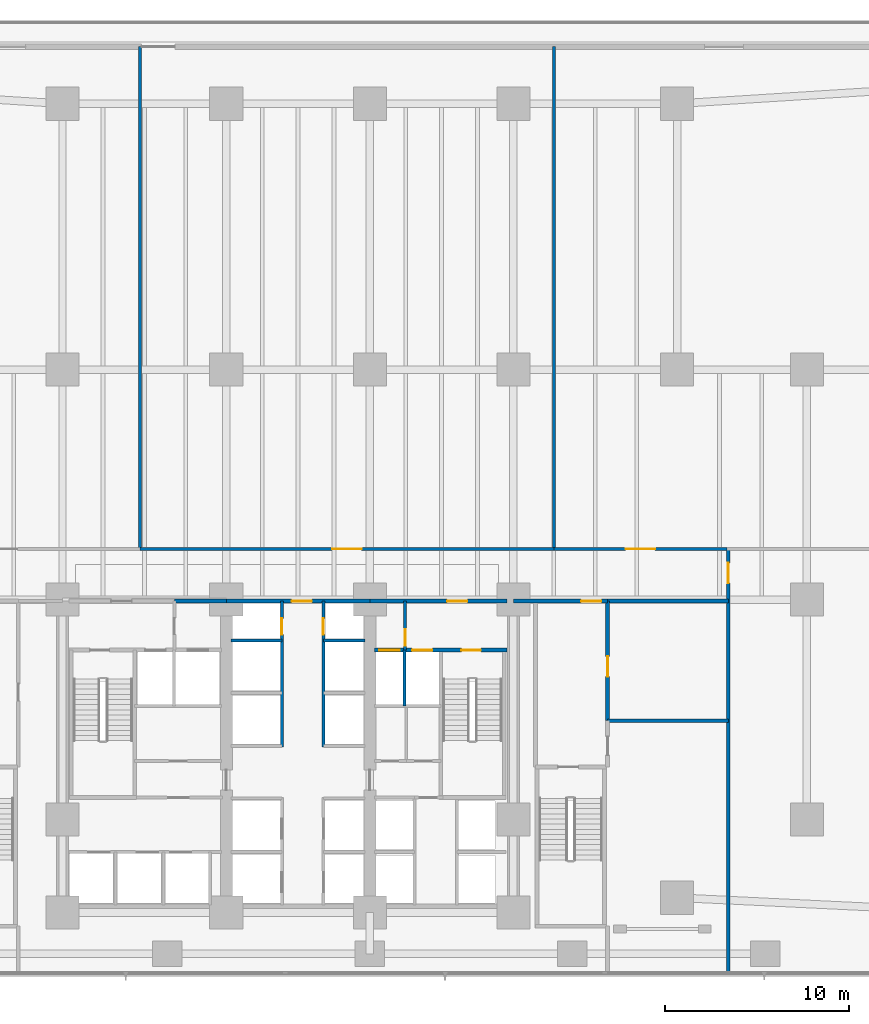
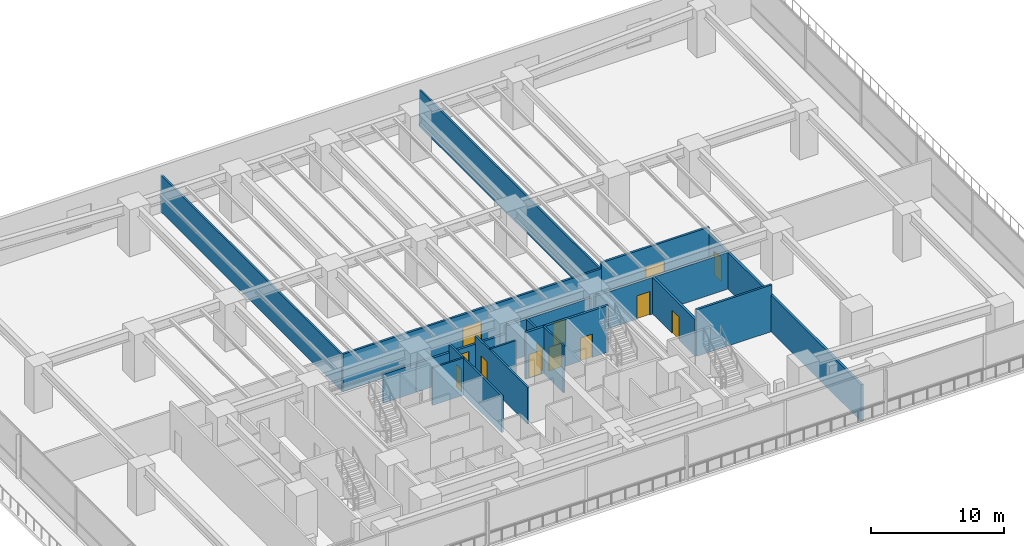
# One storey, part 12 of 27: 19 walls, 13 doors, 13 openings.
"""IFC4 building model written with IfcOpenShell, lengths in metres."""

from ifc_helpers import new_model, si_unit, direction, frame, frame_2d, origin, place, context, subcontext, project, spatial, rectangle, extrude, material, layer, layer_set, type_object, element, fill, save


model = new_model("IFC4")

# Units and contexts
model_context = context("Model", 3, precision=1e-05, world=origin(), true_north=direction((0.0, 1.0)))
body_context = subcontext(model_context, "Body", "Model", "MODEL_VIEW")
ifc_project = project(units=[si_unit("LENGTHUNIT", "METRE"), si_unit("AREAUNIT", "SQUARE_METRE"), si_unit("VOLUMEUNIT", "CUBIC_METRE"), si_unit("PLANEANGLEUNIT", "RADIAN"), si_unit("MASSUNIT", "GRAM", prefix="KILO")], contexts=[model_context])

# Site, building, storey
site_placement = place(None, origin())
site = spatial("IfcSite", under=ifc_project, at=site_placement, CompositionType="ELEMENT")
building_placement = place(site_placement, origin())
building = spatial("IfcBuilding", under=site, at=building_placement, Name="Qalmaran Belvedere Hotel", CompositionType="ELEMENT")
storey_placement = place(building_placement, frame((0.0, 0.0, 5.39990234375)))
storey = spatial("IfcBuildingStorey", under=building, at=storey_placement, Name="L01", CompositionType="ELEMENT", Elevation=5.39990234375)

# Walls
ifc_material_1 = material(Name="Gypsum Stud Partition")
ifc_layer_1 = layer(ifc_material_1, 0.14990234375, Name="Gypsum Stud Partition")
ifc_layer_set_1 = layer_set([ifc_layer_1], Name="Gypsum Stud Partition")
wall_type_1 = type_object("IfcWallType", Name="WL-INT-150-EI120", PredefinedType="PARTITIONING", material=ifc_layer_set_1)
wall_1_placement = place(storey_placement, frame((38.8798828125, 14.719970703125, 0.0), z_axis=(0.0, 0.0, 1.0), x_axis=(0.0, 1.0, 0.0)))
element("IfcWall", 1, at=wall_1_placement, inside=storey, type_object=wall_type_1, Name="L01 Partition WL-FF2M-L01", PredefinedType="PARTITIONING", context=body_context, shape_type="SweptSolid", body=[
    extrude(rectangle(XDim=3.0400390625, YDim=0.14990234375, at=frame_2d((1.52001953125, 0.0))), origin(), (0.0, 0.0, 1.0), 4.300048828125),
])
wall_2_placement = place(storey_placement, frame((29.449951171875, 18.280029296875, 0.0), z_axis=(0.0, 0.0, 1.0), x_axis=(1.0, 0.0, 0.0)))
element("IfcWall", 2, at=wall_2_placement, inside=storey, type_object=wall_type_1, Name="L01 Partition WL-PMW-L01-182", PredefinedType="PARTITIONING", context=body_context, shape_type="SweptSolid", body=[
    extrude(rectangle(XDim=2.77001953125, YDim=0.14990234375, at=frame_2d((1.385009765625, 0.0))), origin(), (0.0, 0.0, 1.0), 3.43017578125),
])
wall_3_placement = place(storey_placement, frame((34.47998046875, 18.280029296875, 0.0), z_axis=(0.0, 0.0, 1.0), x_axis=(1.0, 0.0, 0.0)))
element("IfcWall", 3, at=wall_3_placement, inside=storey, type_object=wall_type_1, Name="L01 Partition WL-PME-L01-182", PredefinedType="PARTITIONING", context=body_context, shape_type="SweptSolid", body=[
    extrude(rectangle(XDim=2.27001953125, YDim=0.14990234375, at=frame_2d((1.135009765625, 0.0))), origin(), (0.0, 0.0, 1.0), 3.43017578125),
])

# Wall, opening, door
ifc_layer_2 = layer(ifc_material_1, 0.159912109375, Name="Gypsum Stud Partition")
ifc_layer_set_2 = layer_set([ifc_layer_2], Name="Gypsum Stud Partition")
wall_type_2 = type_object("IfcWallType", Name="WL-INT-160-EI120", PredefinedType="PARTITIONING", material=ifc_layer_set_2)
wall_4_placement = place(storey_placement, frame((38.919921875, 17.760009765625, 0.0), z_axis=(0.0, 0.0, 1.0), x_axis=(0.0, 1.0, 0.0)))
wall_4 = element("IfcWall", 4, at=wall_4_placement, inside=storey, type_object=wall_type_2, Name="L01 Partition WL-FFSV2-L01", PredefinedType="PARTITIONING", context=body_context, shape_type="SweptSolid", body=[
    extrude(rectangle(XDim=2.659912109375, YDim=0.159912109375, at=frame_2d((1.330078125, 0.0))), origin(), (0.0, 0.0, 1.0), 3.373046875),
])
opening_1_placement = place(wall_4_placement, frame((1.139892578125, 0.0, 0.0), z_axis=(0.0, 0.0, 1.0), x_axis=(-1.0, 0.0, 0.0)))
opening_1 = element("IfcOpeningElement", 5, at=opening_1_placement, cuts=wall_4, Name="Opening FD60S1", PredefinedType="OPENING", context=body_context, shape_type="SweptSolid", body=[
    extrude(rectangle(XDim=0.919921875, YDim=2.080078125, at=frame_2d((0.4599609375, 1.0400390625))), frame((0.0, 0.08984375, 0.0), z_axis=(0.0, -1.0, 0.0), x_axis=(1.0, 0.0, 0.0)), (0.0, 0.0, 1.0), 0.179931640625),
])
ifc_material_2 = material(Name="Engineered Oak Veneer")
door_type_1 = type_object("IfcDoorType", Name="DR-FD60S-920X2080", OperationType="NOTDEFINED", PredefinedType="DOOR", material=ifc_material_2)
door_1_placement = place(opening_1_placement, origin())
door_1 = element("IfcDoor", 6, at=door_1_placement, inside=storey, type_object=door_type_1, Name="L01 Service Lobby East Door", OperationType="SINGLE_SWING_LEFT", OverallHeight=2.080078125, OverallWidth=0.919921875, PredefinedType="DOOR", context=body_context, shape_type="SweptSolid", body=[
    extrude(rectangle(XDim=0.919921875, YDim=2.080078125, at=frame_2d((0.4599609375, 1.0400390625))), frame((0.0, 0.02490234375, 0.0), z_axis=(0.0, -1.0, 0.0), x_axis=(1.0, 0.0, 0.0)), (0.0, 0.0, 1.0), 0.050048828125),
])
fill(opening_1, door_1)

wall_5_placement = place(storey_placement, frame((32.219970703125, 12.5, 0.0), z_axis=(0.0, 0.0, 1.0), x_axis=(0.0, 1.0, 0.0)))
wall_5 = element("IfcWall", 7, at=wall_5_placement, inside=storey, type_object=wall_type_2, Name="L01 Partition WL-CLBWN-L01", PredefinedType="PARTITIONING", context=body_context, shape_type="SweptSolid", body=[
    extrude(rectangle(XDim=7.919921875, YDim=0.159912109375, at=frame_2d((3.9599609375, 0.0))), origin(), (0.0, 0.0, 1.0), 3.373046875),
])
opening_2_placement = place(wall_5_placement, frame((6.10009765625, 0.0, 0.0)))
opening_2 = element("IfcOpeningElement", 8, at=opening_2_placement, cuts=wall_5, Name="Opening FD60B", PredefinedType="OPENING", context=body_context, shape_type="SweptSolid", body=[
    extrude(rectangle(XDim=0.8798828125, YDim=2.080078125, at=frame_2d((0.43994140625, 1.0400390625))), frame((0.0, 0.08984375, 0.0), z_axis=(0.0, -1.0, 0.0), x_axis=(1.0, 0.0, 0.0)), (0.0, 0.0, 1.0), 0.179931640625),
])
ifc_material_3 = material(Name="Steel S355JR", Category="steel")
door_type_2 = type_object("IfcDoorType", Name="DR-FD60B-880X2080", OperationType="NOTDEFINED", PredefinedType="DOOR", material=ifc_material_3)
door_2_placement = place(opening_2_placement, origin())
door_2 = element("IfcDoor", 9, at=door_2_placement, inside=storey, type_object=door_type_2, Name="L01 West Riser Access Door", OperationType="SINGLE_SWING_RIGHT", OverallHeight=2.080078125, OverallWidth=0.8798828125, PredefinedType="DOOR", context=body_context, shape_type="SweptSolid", body=[
    extrude(rectangle(XDim=0.8798828125, YDim=2.080078125, at=frame_2d((0.43994140625, 1.0400390625))), frame((0.0, 0.02490234375, 0.0), z_axis=(0.0, -1.0, 0.0), x_axis=(1.0, 0.0, 0.0)), (0.0, 0.0, 1.0), 0.050048828125),
])
fill(opening_2, door_2)

wall_6_placement = place(storey_placement, frame((34.47998046875, 12.5, 0.0), z_axis=(0.0, 0.0, 1.0), x_axis=(0.0, 1.0, 0.0)))
wall_6 = element("IfcWall", 10, at=wall_6_placement, inside=storey, type_object=wall_type_2, Name="L01 Partition WL-CLBEN-L01", PredefinedType="PARTITIONING", context=body_context, shape_type="SweptSolid", body=[
    extrude(rectangle(XDim=7.919921875, YDim=0.159912109375, at=frame_2d((3.9599609375, 0.0))), origin(), (0.0, 0.0, 1.0), 3.373046875),
])
opening_3_placement = place(wall_6_placement, frame((6.97998046875, 0.0, 0.0), z_axis=(0.0, 0.0, 1.0), x_axis=(-1.0, 0.0, 0.0)))
opening_3 = element("IfcOpeningElement", 11, at=opening_3_placement, cuts=wall_6, Name="Opening FD60B", PredefinedType="OPENING", context=body_context, shape_type="SweptSolid", body=[
    extrude(rectangle(XDim=0.8798828125, YDim=2.080078125, at=frame_2d((0.43994140625, 1.0400390625))), frame((0.0, 0.08984375, 0.0), z_axis=(0.0, -1.0, 0.0), x_axis=(1.0, 0.0, 0.0)), (0.0, 0.0, 1.0), 0.179931640625),
])
door_3_placement = place(opening_3_placement, origin())
door_3 = element("IfcDoor", 12, at=door_3_placement, inside=storey, type_object=door_type_2, Name="L01 East Riser Access Door", OperationType="SINGLE_SWING_LEFT", OverallHeight=2.080078125, OverallWidth=0.8798828125, PredefinedType="DOOR", context=body_context, shape_type="SweptSolid", body=[
    extrude(rectangle(XDim=0.8798828125, YDim=2.080078125, at=frame_2d((0.43994140625, 1.0400390625))), frame((0.0, 0.02490234375, 0.0), z_axis=(0.0, -1.0, 0.0), x_axis=(1.0, 0.0, 0.0)), (0.0, 0.0, 1.0), 0.050048828125),
])
fill(opening_3, door_3)

# Walls
ifc_layer_3 = layer(ifc_material_1, 0.159912109375, Name="Gypsum Stud Partition")
ifc_layer_set_3 = layer_set([ifc_layer_3], Name="Gypsum Stud Partition")
wall_type_3 = type_object("IfcWallType", Name="WL-INT-160-EI60", PredefinedType="PARTITIONING", material=ifc_layer_set_3)
for number, where, z_axis, x_axis, name in (
    (13, (24.5, 23.25, 0.0), (0.0, 0.0, 1.0), (0.0, 1.0, 0.0), "L01 Partition WL-L01-GV1"),
    (14, (47.0, 23.25, 0.0), (0.0, 0.0, 1.0), (0.0, 1.0, 0.0), "L01 Partition WL-L01-GV2"),
):
    element("IfcWall", number, at=place(storey_placement, frame(where, z_axis=z_axis, x_axis=x_axis)), inside=storey, type_object=wall_type_3, Name=name, PredefinedType="PARTITIONING", context=body_context, shape_type="SweptSolid", body=[
        extrude(rectangle(XDim=27.300048828125, YDim=0.159912109375, at=frame_2d((13.64990234375, 0.0))), origin(), (0.0, 0.0, 1.0), 3.373046875),
    ])
ifc_layer_4 = layer(ifc_material_1, 0.179931640625, Name="Gypsum Stud Partition")
ifc_layer_set_4 = layer_set([ifc_layer_4], Name="Gypsum Stud Partition")
wall_type_4 = type_object("IfcWallType", Name="WL-INT-180-EI120", PredefinedType="PARTITIONING", material=ifc_layer_set_4)
wall_7_placement = place(storey_placement, frame((49.919921875, 13.919921875, 0.0), z_axis=(0.0, 0.0, 1.0), x_axis=(1.0, 0.0, 0.0)))
element("IfcWall", 15, at=wall_7_placement, inside=storey, type_object=wall_type_4, Name="L01 Partition WL-L01-FCCH", PredefinedType="PARTITIONING", context=body_context, shape_type="SweptSolid", body=[
    extrude(rectangle(XDim=6.56005859375, YDim=0.179931640625, at=frame_2d((3.280029296875, 0.0))), origin(), (0.0, 0.0, 1.0), 4.300048828125),
])

# Wall, opening, door
ifc_layer_5 = layer(ifc_material_1, 0.179931640625, Name="Gypsum Stud Partition")
ifc_layer_set_5 = layer_set([ifc_layer_5], Name="Gypsum Stud Partition")
wall_type_5 = type_object("IfcWallType", Name="WL-INT-180-EI60", PredefinedType="PARTITIONING", material=ifc_layer_set_5)
wall_8_placement = place(storey_placement, frame((24.5, 23.25, 0.0), z_axis=(0.0, 0.0, 1.0), x_axis=(1.0, 0.0, 0.0)))
wall_8 = element("IfcWall", 16, at=wall_8_placement, inside=storey, type_object=wall_type_5, Name="L01 Partition WL-L01-GND2", PredefinedType="PARTITIONING", context=body_context, shape_type="SweptSolid", body=[
    extrude(rectangle(XDim=22.5, YDim=0.179931640625, at=frame_2d((11.25, 0.0))), origin(), (0.0, 0.0, 1.0), 3.43017578125),
])
opening_4_placement = place(wall_8_placement, frame((10.449951171875, 0.0, 0.0)))
opening_4 = element("IfcOpeningElement", 17, at=opening_4_placement, cuts=wall_8, Name="Opening FD60D", PredefinedType="OPENING", context=body_context, shape_type="SweptSolid", body=[
    extrude(rectangle(XDim=1.60009765625, YDim=2.219970703125, at=frame_2d((0.800048828125, 1.10986328125))), frame((0.0, 0.10009765625, 0.0), z_axis=(0.0, -1.0, 0.0), x_axis=(1.0, 0.0, 0.0)), (0.0, 0.0, 1.0), 0.199951171875),
])
door_type_3 = type_object("IfcDoorType", Name="DR-FD60D-1600X2220", OperationType="NOTDEFINED", PredefinedType="DOOR", material=ifc_material_2)
door_4_placement = place(opening_4_placement, origin())
door_4 = element("IfcDoor", 18, at=door_4_placement, inside=storey, type_object=door_type_3, Name="L01 Congress Pre-Function Foyer Door", OperationType="DOUBLE_DOOR_SINGLE_SWING", OverallHeight=2.219970703125, OverallWidth=1.60009765625, PredefinedType="DOOR", context=body_context, shape_type="SweptSolid", body=[
    extrude(rectangle(XDim=1.60009765625, YDim=2.219970703125, at=frame_2d((0.800048828125, 1.10986328125))), frame((0.0, 0.02490234375, 0.0), z_axis=(0.0, -1.0, 0.0), x_axis=(1.0, 0.0, 0.0)), (0.0, 0.0, 1.0), 0.050048828125),
])
fill(opening_4, door_4)

wall_9_placement = place(storey_placement, frame((47.0, 23.25, 0.0), z_axis=(0.0, 0.0, 1.0), x_axis=(1.0, 0.0, 0.0)))
wall_9 = element("IfcWall", 19, at=wall_9_placement, inside=storey, type_object=wall_type_5, Name="L01 Partition WL-L01-GND3", PredefinedType="PARTITIONING", context=body_context, shape_type="SweptSolid", body=[
    extrude(rectangle(XDim=9.39990234375, YDim=0.179931640625, at=frame_2d((4.699951171875, 0.0))), origin(), (0.0, 0.0, 1.0), 3.982177734375),
])
opening_5_placement = place(wall_9_placement, frame((3.89990234375, 0.0, 0.0)))
opening_5 = element("IfcOpeningElement", 20, at=opening_5_placement, cuts=wall_9, Name="Opening FD60D", PredefinedType="OPENING", context=body_context, shape_type="SweptSolid", body=[
    extrude(rectangle(XDim=1.60009765625, YDim=2.219970703125, at=frame_2d((0.800048828125, 1.10986328125))), frame((0.0, 0.10009765625, 0.0), z_axis=(0.0, -1.0, 0.0), x_axis=(1.0, 0.0, 0.0)), (0.0, 0.0, 1.0), 0.199951171875),
])
door_5_placement = place(opening_5_placement, origin())
door_5 = element("IfcDoor", 21, at=door_5_placement, inside=storey, type_object=door_type_3, Name="L01 Conference Hall Diriyah Door", OperationType="DOUBLE_DOOR_SINGLE_SWING", OverallHeight=2.219970703125, OverallWidth=1.60009765625, PredefinedType="DOOR", context=body_context, shape_type="SweptSolid", body=[
    extrude(rectangle(XDim=1.60009765625, YDim=2.219970703125, at=frame_2d((0.800048828125, 1.10986328125))), frame((0.0, 0.02490234375, 0.0), z_axis=(0.0, -1.0, 0.0), x_axis=(1.0, 0.0, 0.0)), (0.0, 0.0, 1.0), 0.050048828125),
])
fill(opening_5, door_5)

# Wall
ifc_material_4 = material(Name="Concrete C30/37 Blockwork", Category="masonry")
ifc_layer_6 = layer(ifc_material_4, 0.199951171875, Name="Concrete C30/37 Blockwork")
ifc_layer_set_6 = layer_set([ifc_layer_6], Name="Concrete C30/37 Blockwork")
wall_type_6 = type_object("IfcWallType", Name="WL-INT-200-EI120", PredefinedType="PARTITIONING", material=ifc_layer_set_6)
wall_10_placement = place(storey_placement, frame((26.3798828125, 20.419921875, 0.0), z_axis=(0.0, 0.0, 1.0), x_axis=(1.0, 0.0, 0.0)))
element("IfcWall", 22, at=wall_10_placement, inside=storey, type_object=wall_type_6, Name="L01 Partition WL-CN1B-L01", PredefinedType="PARTITIONING", context=body_context, shape_type="SweptSolid", body=[
    extrude(rectangle(XDim=2.820068359375, YDim=0.199951171875, at=frame_2d((1.41015625, 0.0))), origin(), (0.0, 0.0, 1.0), 2.634521484375),
])

# Wall, opening, door
wall_11_placement = place(storey_placement, frame((29.199951171875, 20.419921875, 0.0), z_axis=(0.0, 0.0, 1.0), x_axis=(1.0, 0.0, 0.0)))
wall_11 = element("IfcWall", 23, at=wall_11_placement, inside=storey, type_object=wall_type_6, Name="L01 Partition WL-CN2-L01", PredefinedType="PARTITIONING", context=body_context, shape_type="SweptSolid", body=[
    extrude(rectangle(XDim=7.800048828125, YDim=0.199951171875, at=frame_2d((3.89990234375, 0.0))), origin(), (0.0, 0.0, 1.0), 2.634521484375),
])
opening_6_placement = place(wall_11_placement, frame((3.550048828125, 0.0, 0.0)))
opening_6 = element("IfcOpeningElement", 24, at=opening_6_placement, cuts=wall_11, Name="Opening FD90", PredefinedType="OPENING", context=body_context, shape_type="SweptSolid", body=[
    extrude(rectangle(XDim=1.10009765625, YDim=2.14990234375, at=frame_2d((0.550048828125, 1.074951171875))), frame((0.0, 0.10986328125, 0.0), z_axis=(0.0, -1.0, 0.0), x_axis=(1.0, 0.0, 0.0)), (0.0, 0.0, 1.0), 0.219970703125),
])
door_type_4 = type_object("IfcDoorType", Name="DR-FD90-1100X2150", OperationType="NOTDEFINED", PredefinedType="DOOR", material=ifc_material_3)
door_6_placement = place(opening_6_placement, origin())
door_6 = element("IfcDoor", 25, at=door_6_placement, inside=storey, type_object=door_type_4, Name="L01 Central Lift Lobby Door", OperationType="SINGLE_SWING_LEFT", OverallHeight=2.14990234375, OverallWidth=1.10009765625, PredefinedType="DOOR", context=body_context, shape_type="SweptSolid", body=[
    extrude(rectangle(XDim=1.10009765625, YDim=2.14990234375, at=frame_2d((0.550048828125, 1.074951171875))), frame((0.0, 0.02490234375, 0.0), z_axis=(0.0, -1.0, 0.0), x_axis=(1.0, 0.0, 0.0)), (0.0, 0.0, 1.0), 0.050048828125),
])
fill(opening_6, door_6)

wall_12_placement = place(storey_placement, frame((37.0, 20.419921875, 0.0), z_axis=(0.0, 0.0, 1.0), x_axis=(1.0, 0.0, 0.0)))
wall_12 = element("IfcWall", 26, at=wall_12_placement, inside=storey, type_object=wall_type_6, Name="L01 Partition WL-CN3-L01", PredefinedType="PARTITIONING", context=body_context, shape_type="SweptSolid", body=[
    extrude(rectangle(XDim=7.449951171875, YDim=0.199951171875, at=frame_2d((3.72509765625, 0.0))), origin(), (0.0, 0.0, 1.0), 3.373046875),
])
opening_7_placement = place(wall_12_placement, frame((4.199951171875, 0.0, 0.0)))
opening_7 = element("IfcOpeningElement", 27, at=opening_7_placement, cuts=wall_12, Name="Opening FD90", PredefinedType="OPENING", context=body_context, shape_type="SweptSolid", body=[
    extrude(rectangle(XDim=1.10009765625, YDim=2.14990234375, at=frame_2d((0.550048828125, 1.074951171875))), frame((0.0, 0.10986328125, 0.0), z_axis=(0.0, -1.0, 0.0), x_axis=(1.0, 0.0, 0.0)), (0.0, 0.0, 1.0), 0.219970703125),
])
door_7_placement = place(opening_7_placement, origin())
door_7 = element("IfcDoor", 28, at=door_7_placement, inside=storey, type_object=door_type_4, Name="L01 FF2 Lobby Corridor Door", OperationType="SINGLE_SWING_RIGHT", OverallHeight=2.14990234375, OverallWidth=1.10009765625, PredefinedType="DOOR", context=body_context, shape_type="SweptSolid", body=[
    extrude(rectangle(XDim=1.10009765625, YDim=2.14990234375, at=frame_2d((0.550048828125, 1.074951171875))), frame((0.0, 0.02490234375, 0.0), z_axis=(0.0, -1.0, 0.0), x_axis=(1.0, 0.0, 0.0)), (0.0, 0.0, 1.0), 0.050048828125),
])
fill(opening_7, door_7)

wall_13_placement = place(storey_placement, frame((49.919921875, 13.919921875, 0.0), z_axis=(0.0, 0.0, 1.0), x_axis=(0.0, 1.0, 0.0)))
wall_13 = element("IfcWall", 29, at=wall_13_placement, inside=storey, type_object=wall_type_6, Name="L01 Partition WL-L01-STPE2B", PredefinedType="PARTITIONING", context=body_context, shape_type="SweptSolid", body=[
    extrude(rectangle(XDim=6.5, YDim=0.199951171875, at=frame_2d((3.25, 0.0))), origin(), (0.0, 0.0, 1.0), 3.373046875),
])
opening_8_placement = place(wall_13_placement, frame((3.5, 0.0, 0.0), z_axis=(0.0, 0.0, 1.0), x_axis=(-1.0, 0.0, 0.0)))
opening_8 = element("IfcOpeningElement", 30, at=opening_8_placement, cuts=wall_13, Name="Opening FD90", PredefinedType="OPENING", context=body_context, shape_type="SweptSolid", body=[
    extrude(rectangle(XDim=1.10009765625, YDim=2.14990234375, at=frame_2d((0.550048828125, 1.074951171875))), frame((0.0, 0.10986328125, 0.0), z_axis=(0.0, -1.0, 0.0), x_axis=(1.0, 0.0, 0.0)), (0.0, 0.0, 1.0), 0.219970703125),
])
door_8_placement = place(opening_8_placement, origin())
door_8 = element("IfcDoor", 31, at=door_8_placement, inside=storey, type_object=door_type_4, Name="L01 Fire Command Door", OperationType="SINGLE_SWING_LEFT", OverallHeight=2.14990234375, OverallWidth=1.10009765625, PredefinedType="DOOR", context=body_context, shape_type="SweptSolid", body=[
    extrude(rectangle(XDim=1.10009765625, YDim=2.14990234375, at=frame_2d((0.550048828125, 1.074951171875))), frame((0.0, 0.02490234375, 0.0), z_axis=(0.0, -1.0, 0.0), x_axis=(1.0, 0.0, 0.0)), (0.0, 0.0, 1.0), 0.050048828125),
])
fill(opening_8, door_8)

wall_14_placement = place(storey_placement, frame((44.800048828125, 20.419921875, 0.0), z_axis=(0.0, 0.0, 1.0), x_axis=(1.0, 0.0, 0.0)))
wall_14 = element("IfcWall", 32, at=wall_14_placement, inside=storey, type_object=wall_type_6, Name="L01 Partition WL-L01-CSE", PredefinedType="PARTITIONING", context=body_context, shape_type="SweptSolid", body=[
    extrude(rectangle(XDim=5.119873046875, YDim=0.199951171875, at=frame_2d((2.56005859375, 0.0))), origin(), (0.0, 0.0, 1.0), 3.373046875),
])
opening_9_placement = place(wall_14_placement, frame((4.78076171875, 0.0, 0.0), z_axis=(0.0, 0.0, 1.0), x_axis=(-1.0, 0.0, 0.0)))
opening_9 = element("IfcOpeningElement", 33, at=opening_9_placement, cuts=wall_14, Name="Opening FD90", PredefinedType="OPENING", context=body_context, shape_type="SweptSolid", body=[
    extrude(rectangle(XDim=1.10009765625, YDim=2.14990234375, at=frame_2d((0.550048828125, 1.074951171875))), frame((0.0, 0.10986328125, 0.0), z_axis=(0.0, -1.0, 0.0), x_axis=(1.0, 0.0, 0.0)), (0.0, 0.0, 1.0), 0.219970703125),
])
door_9_placement = place(opening_9_placement, origin())
door_9 = element("IfcDoor", 34, at=door_9_placement, inside=storey, type_object=door_type_4, Name="L01 East Stair Corridor Door", OperationType="SINGLE_SWING_RIGHT", OverallHeight=2.14990234375, OverallWidth=1.10009765625, PredefinedType="DOOR", context=body_context, shape_type="SweptSolid", body=[
    extrude(rectangle(XDim=1.10009765625, YDim=2.14990234375, at=frame_2d((0.550048828125, 1.074951171875))), frame((0.0, 0.02490234375, 0.0), z_axis=(0.0, -1.0, 0.0), x_axis=(1.0, 0.0, 0.0)), (0.0, 0.0, 1.0), 0.050048828125),
])
fill(opening_9, door_9)

# Wall
wall_15_placement = place(storey_placement, frame((49.919921875, 20.419921875, 0.0), z_axis=(0.0, 0.0, 1.0), x_axis=(1.0, 0.0, 0.0)))
element("IfcWall", 35, at=wall_15_placement, inside=storey, type_object=wall_type_6, Name="L01 Partition WL-L01-CSEN", PredefinedType="PARTITIONING", context=body_context, shape_type="SweptSolid", body=[
    extrude(rectangle(XDim=6.56005859375, YDim=0.199951171875, at=frame_2d((3.280029296875, 0.0))), origin(), (0.0, 0.0, 1.0), 3.373046875),
])

# Wall, opening, door
wall_16_placement = place(storey_placement, frame((56.47998046875, 0.219970703125, 0.0), z_axis=(0.0, 0.0, 1.0), x_axis=(0.0, 1.0, 0.0)))
wall_16 = element("IfcWall", 36, at=wall_16_placement, inside=storey, type_object=wall_type_6, Name="L01 Partition WL-L01-FCCE", PredefinedType="PARTITIONING", context=body_context, shape_type="SweptSolid", body=[
    extrude(rectangle(XDim=23.030029296875, YDim=0.199951171875, at=frame_2d((11.51513671875, 0.0))), origin(), (0.0, 0.0, 1.0), 3.373046875),
])
opening_10_placement = place(wall_16_placement, frame((22.280029296875, 0.0, 0.0), z_axis=(0.0, 0.0, 1.0), x_axis=(-1.0, 0.0, 0.0)))
opening_10 = element("IfcOpeningElement", 37, at=opening_10_placement, cuts=wall_16, Name="Opening FD90", PredefinedType="OPENING", context=body_context, shape_type="SweptSolid", body=[
    extrude(rectangle(XDim=1.10009765625, YDim=2.14990234375, at=frame_2d((0.550048828125, 1.074951171875))), frame((0.0, 0.10986328125, 0.0), z_axis=(0.0, -1.0, 0.0), x_axis=(1.0, 0.0, 0.0)), (0.0, 0.0, 1.0), 0.219970703125),
])
door_10_placement = place(opening_10_placement, origin())
door_10 = element("IfcDoor", 38, at=door_10_placement, inside=storey, type_object=door_type_4, Name="L01 East Wing Door", OperationType="SINGLE_SWING_LEFT", OverallHeight=2.14990234375, OverallWidth=1.10009765625, PredefinedType="DOOR", context=body_context, shape_type="SweptSolid", body=[
    extrude(rectangle(XDim=1.10009765625, YDim=2.14990234375, at=frame_2d((0.550048828125, 1.074951171875))), frame((0.0, 0.02490234375, 0.0), z_axis=(0.0, -1.0, 0.0), x_axis=(1.0, 0.0, 0.0)), (0.0, 0.0, 1.0), 0.050048828125),
])
fill(opening_10, door_10)

# Wall, openings, doors
ifc_material_5 = material(Name="Concrete C50/60", Category="concrete")
ifc_layer_7 = layer(ifc_material_5, 0.2099609375, Name="Concrete C50/60")
ifc_layer_set_7 = layer_set([ifc_layer_7], Name="Concrete C50/60")
wall_type_7 = type_object("IfcWallType", Name="WL-STAIR-210-C50", PredefinedType="SHEAR", material=ifc_layer_set_7)
wall_17_placement = place(storey_placement, frame((37.25, 17.7548828125, 0.0), z_axis=(0.0, 0.0, 1.0), x_axis=(1.0, 0.0, 0.0)))
wall_17 = element("IfcWall", 39, at=wall_17_placement, inside=storey, type_object=wall_type_7, Name="L01 East Lobby and Stair ST-2 North Bearing Wall", PredefinedType="SHEAR", context=body_context, shape_type="SweptSolid", body=[
    extrude(rectangle(XDim=7.199951171875, YDim=0.2099609375, at=frame_2d((3.60009765625, 0.0))), origin(), (0.0, 0.0, 1.0), 4.300048828125),
])
opening_11_placement = place(wall_17_placement, frame((0.25, 0.0, 0.0)))
opening_11 = element("IfcOpeningElement", 40, at=opening_11_placement, cuts=wall_17, Name="Opening LD-SV", PredefinedType="OPENING", context=body_context, shape_type="SweptSolid", body=[
    extrude(rectangle(XDim=1.1201171875, YDim=2.199951171875, at=frame_2d((0.56005859375, 1.10009765625))), frame((0.0, 0.114990234375, 0.0), z_axis=(0.0, -1.0, 0.0), x_axis=(1.0, 0.0, 0.0)), (0.0, 0.0, 1.0), 0.22998046875),
])
opening_12_placement = place(wall_17_placement, frame((2.050048828125, 0.0, 0.0)))
opening_12 = element("IfcOpeningElement", 41, at=opening_12_placement, cuts=wall_17, Name="Opening LD-FF", PredefinedType="OPENING", context=body_context, shape_type="SweptSolid", body=[
    extrude(rectangle(XDim=1.10009765625, YDim=2.179931640625, at=frame_2d((0.550048828125, 1.08984375))), frame((0.0, 0.114990234375, 0.0), z_axis=(0.0, -1.0, 0.0), x_axis=(1.0, 0.0, 0.0)), (0.0, 0.0, 1.0), 0.22998046875),
])
opening_13_placement = place(wall_17_placement, frame((5.780029296875, 0.0, 0.0), z_axis=(0.0, 0.0, 1.0), x_axis=(-1.0, 0.0, 0.0)))
opening_13 = element("IfcOpeningElement", 42, at=opening_13_placement, cuts=wall_17, Name="Opening FD90S2", PredefinedType="OPENING", context=body_context, shape_type="SweptSolid", body=[
    extrude(rectangle(XDim=1.050048828125, YDim=2.14990234375, at=frame_2d((0.52490234375, 1.074951171875))), frame((0.0, 0.114990234375, 0.0), z_axis=(0.0, -1.0, 0.0), x_axis=(1.0, 0.0, 0.0)), (0.0, 0.0, 1.0), 0.22998046875),
])
door_type_5 = type_object("IfcDoorType", Name="DR-FD90S-1050X2150", OperationType="NOTDEFINED", PredefinedType="DOOR", material=ifc_material_3)
door_11_placement = place(opening_13_placement, origin())
door_11 = element("IfcDoor", 43, at=door_11_placement, inside=storey, type_object=door_type_5, Name="L01 Stair ST-2 Door", OperationType="SINGLE_SWING_LEFT", OverallHeight=2.14990234375, OverallWidth=1.050048828125, PredefinedType="DOOR", context=body_context, shape_type="SweptSolid", body=[
    extrude(rectangle(XDim=1.050048828125, YDim=2.14990234375, at=frame_2d((0.52490234375, 1.074951171875))), frame((0.0, 0.02490234375, 0.0), z_axis=(0.0, -1.0, 0.0), x_axis=(1.0, 0.0, 0.0)), (0.0, 0.0, 1.0), 0.050048828125),
])
fill(opening_13, door_11)
ifc_material_6 = material(Name="Stainless Steel 1.4401", Category="steel")
door_type_6 = type_object("IfcDoorType", Name="DR-LIFT-FF-1100X2180", OperationType="DOUBLE_DOOR_SLIDING", PredefinedType="DOOR", material=ifc_material_6)
door_12_placement = place(opening_12_placement, origin())
door_12 = element("IfcDoor", 44, at=door_12_placement, inside=storey, type_object=door_type_6, Name="L01 FF2 Lift Landing Door", OperationType="DOUBLE_DOOR_SLIDING", OverallHeight=2.179931640625, OverallWidth=1.10009765625, PredefinedType="DOOR", context=body_context, shape_type="SweptSolid", body=[
    extrude(rectangle(XDim=1.10009765625, YDim=2.179931640625, at=frame_2d((0.550048828125, 1.08984375))), frame((0.0, 0.02490234375, 0.0), z_axis=(0.0, -1.0, 0.0), x_axis=(1.0, 0.0, 0.0)), (0.0, 0.0, 1.0), 0.050048828125),
])
fill(opening_12, door_12)
door_type_7 = type_object("IfcDoorType", Name="DR-LIFT-SV-1120X2200", OperationType="DOUBLE_DOOR_SLIDING", PredefinedType="DOOR", material=ifc_material_6)
door_13_placement = place(opening_11_placement, origin())
door_13 = element("IfcDoor", 45, at=door_13_placement, inside=storey, type_object=door_type_7, Name="L01 SV2 Lift Landing Door", OperationType="DOUBLE_DOOR_SLIDING", OverallHeight=2.199951171875, OverallWidth=1.1201171875, PredefinedType="DOOR", context=body_context, shape_type="SweptSolid", body=[
    extrude(rectangle(XDim=1.1201171875, YDim=2.199951171875, at=frame_2d((0.56005859375, 1.10009765625))), frame((0.0, 0.02490234375, 0.0), z_axis=(0.0, -1.0, 0.0), x_axis=(1.0, 0.0, 0.0)), (0.0, 0.0, 1.0), 0.050048828125),
])
fill(opening_11, door_13)

save(model, "model.ifc")
